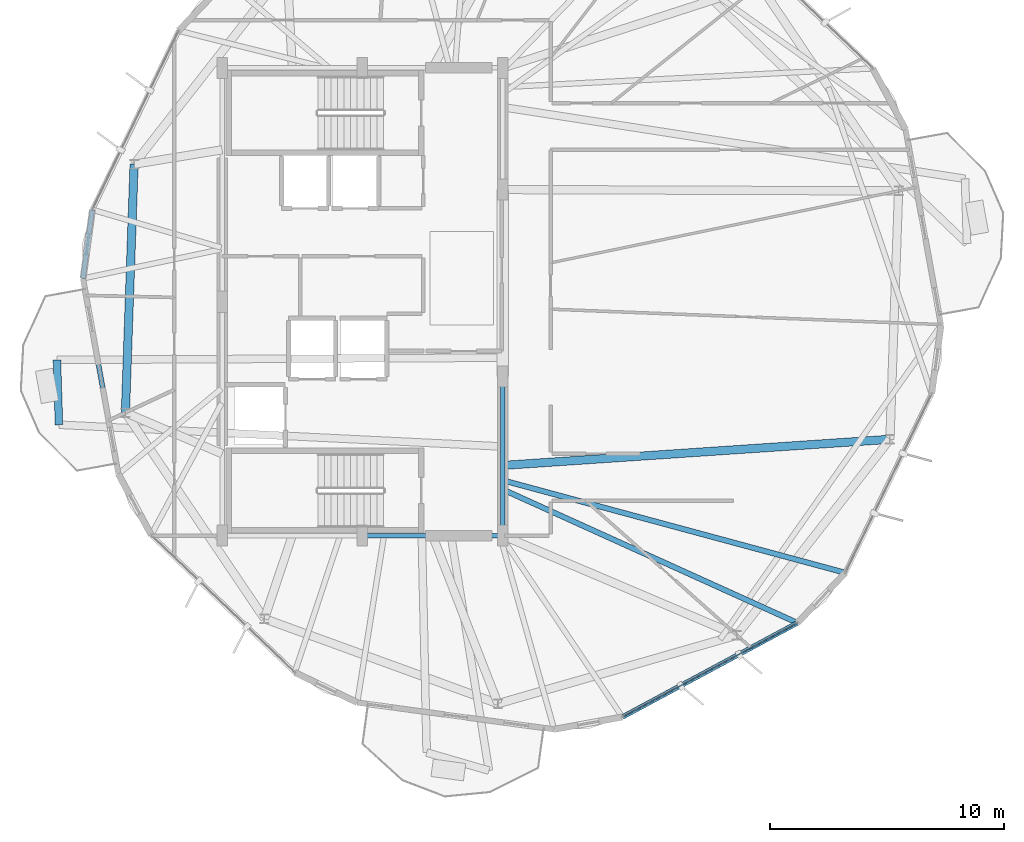
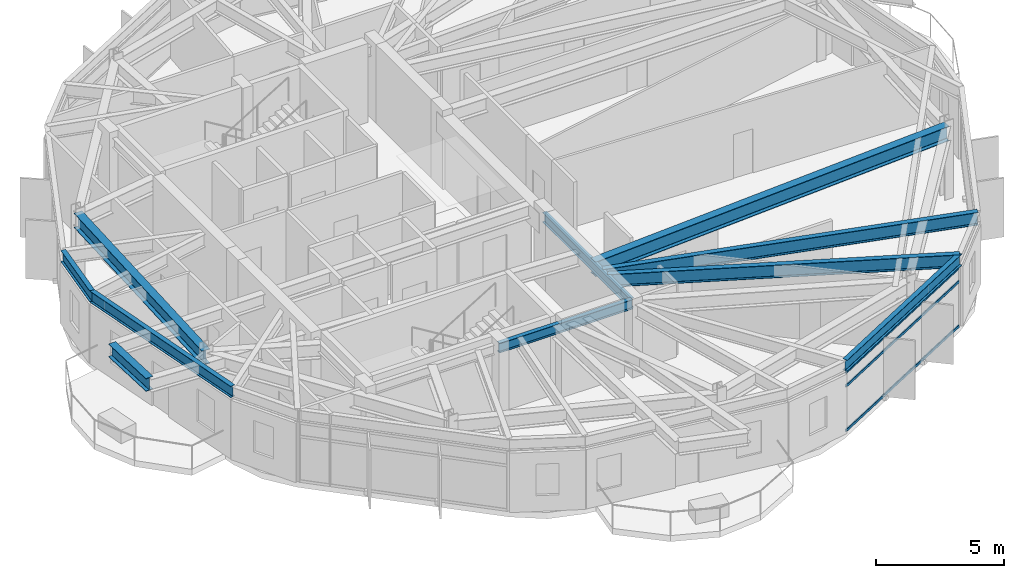
# One storey, part 6 of 26: 10 beams, 3 members, 1 element without a shape of its own.
"""IFC4 building model written with IfcOpenShell, lengths in metres."""

from ifc_helpers import new_model, si_unit, direction, frame, origin, origin_2d, place, context, subcontext, project, spatial, hollow_rectangle, i_section, extrude, material, layer, layer_set, material_profile, profile_set, type_object, element, aggregate, save


model = new_model("IFC4")

# Units and contexts
model_context = context("Model", 3, precision=1e-05, world=origin(), true_north=direction((0.0, 1.0)))
body_context = subcontext(model_context, "Body", "Model", "MODEL_VIEW")
ifc_project = project(units=[si_unit("LENGTHUNIT", "METRE"), si_unit("AREAUNIT", "SQUARE_METRE"), si_unit("VOLUMEUNIT", "CUBIC_METRE"), si_unit("PLANEANGLEUNIT", "RADIAN"), si_unit("MASSUNIT", "GRAM", prefix="KILO")], contexts=[model_context])

# Site, building, storey
site_placement = place(None, origin())
site = spatial("IfcSite", under=ifc_project, at=site_placement, CompositionType="ELEMENT")
building_placement = place(site_placement, origin())
building = spatial("IfcBuilding", under=site, at=building_placement, Name="Soratama Intermodal Tower", CompositionType="ELEMENT")
storey_placement = place(building_placement, frame((0.0, 0.0, 268.75)))
storey = spatial("IfcBuildingStorey", under=building, at=storey_placement, Name="L68", CompositionType="ELEMENT", Elevation=268.75)

# Beams
ifc_material_1 = material(Name="Structural steel ASTM A992 Grade 50", Category="steel")
ifc_material_profile_1 = material_profile(ifc_material_1, i_section(OverallWidth=0.324951171875, OverallDepth=0.615966796875, WebThickness=0.013916015625, FlangeThickness=0.021484375, FilletRadius=0.013916015625, at=origin_2d()), Name="W24X117")
ifc_profile_set_1 = profile_set([ifc_material_profile_1], Name="Structural steel ASTM A992 Grade 50")
beam_type_1 = type_object("IfcBeamType", Name="BM-CANT-W24X117", PredefinedType="BEAM", material=ifc_profile_set_1)
beam_1_placement = place(storey_placement, frame((25.5380859375, 22.512939453125, 3.14208984375), z_axis=(0.031339187538, -0.999508807027, 0.0), x_axis=(0.999508807027, 0.031339187538, 0.0)))
element("IfcBeam", 1, at=beam_1_placement, inside=storey, type_object=beam_type_1, Name="BM-L68-CBHDR-2", PredefinedType="BEAM", context=body_context, shape_type="SweptSolid", body=[
    extrude(i_section(OverallWidth=0.324951171875, OverallDepth=0.615966796875, WebThickness=0.013916015625, FlangeThickness=0.021484375, FilletRadius=0.013916015625, at=origin_2d()), origin(), (0.0, 0.0, 1.0), 2.7734375),
])
ifc_material_2 = material(Name="Structural steel ASTM A992 Grade 50", Category="steel")
ifc_material_profile_2 = material_profile(ifc_material_2, i_section(OverallWidth=0.19091796875, OverallDepth=0.4599609375, WebThickness=0.010009765625, FlangeThickness=0.01611328125, FilletRadius=0.010986328125, at=origin_2d()), Name="W18X55")
ifc_profile_set_2 = profile_set([ifc_material_profile_2], Name="Structural steel ASTM A992 Grade 50")
beam_type_2 = type_object("IfcBeamType", Name="BM-FLR-W18X55", PredefinedType="BEAM", material=ifc_profile_set_2)
beam_2_placement = place(storey_placement, frame((38.60009765625, 15.0, 3.219970703125), z_axis=(1.0, 0.0, 0.0), x_axis=(0.0, 1.0, 0.0)))
element("IfcBeam", 2, at=beam_2_placement, inside=storey, type_object=beam_type_2, Name="BM-L68-CRING-02", PredefinedType="BEAM", context=body_context, shape_type="SweptSolid", body=[
    extrude(i_section(OverallWidth=0.19091796875, OverallDepth=0.4599609375, WebThickness=0.010009765625, FlangeThickness=0.01611328125, FilletRadius=0.010986328125, at=origin_2d()), origin(), (0.0, 0.0, 1.0), 6.0),
])
beam_3_placement = place(storey_placement, frame((44.60009765625, 15.0, 3.219970703125), z_axis=(0.0, 1.0, 0.0), x_axis=(-1.0, 0.0, 0.0)))
element("IfcBeam", 3, at=beam_3_placement, inside=storey, type_object=beam_type_2, Name="BM-L68-CRING-03", PredefinedType="BEAM", context=body_context, shape_type="SweptSolid", body=[
    extrude(i_section(OverallWidth=0.19091796875, OverallDepth=0.4599609375, WebThickness=0.010009765625, FlangeThickness=0.01611328125, FilletRadius=0.010986328125, at=origin_2d()), origin(), (0.0, 0.0, 1.0), 6.800048828125),
])
ifc_material_3 = material(Name="Structural steel ASTM A992 Grade 50", Category="steel")
ifc_material_profile_3 = material_profile(ifc_material_3, i_section(OverallWidth=0.35498046875, OverallDepth=0.695068359375, WebThickness=0.015380859375, FlangeThickness=0.02490234375, FilletRadius=0.01611328125, at=origin_2d()), Name="W27X146")
ifc_profile_set_3 = profile_set([ifc_material_profile_3], Name="Structural steel ASTM A992 Grade 50")
beam_type_3 = type_object("IfcBeamType", Name="BM-RING-W27X146", PredefinedType="BEAM", material=ifc_profile_set_3)
beam_4_placement = place(storey_placement, frame((28.8369140625, 30.883056640625, 3.1025390625), z_axis=(-0.034885453879, -0.999391317307, 0.0), x_axis=(0.999391317307, -0.034885453879, 0.0)))
element("IfcBeam", 4, at=beam_4_placement, inside=storey, type_object=beam_type_3, Name="BM-L68-RING-05", PredefinedType="BEAM", context=body_context, shape_type="SweptSolid", body=[
    extrude(i_section(OverallWidth=0.35498046875, OverallDepth=0.695068359375, WebThickness=0.015380859375, FlangeThickness=0.02490234375, FilletRadius=0.01611328125, at=origin_2d()), origin(), (0.0, 0.0, 1.0), 10.630615234375),
])
beam_5_placement = place(storey_placement, frame((44.60009765625, 18.0, 3.1025390625), z_axis=(0.997733912176, 0.067283285401, 0.0), x_axis=(-0.067283285401, 0.997733912176, 0.0)))
element("IfcBeam", 5, at=beam_5_placement, inside=storey, type_object=beam_type_3, Name="BM-L68-RAD-10", PredefinedType="BEAM", context=body_context, shape_type="SweptSolid", body=[
    extrude(i_section(OverallWidth=0.35498046875, OverallDepth=0.695068359375, WebThickness=0.015380859375, FlangeThickness=0.02490234375, FilletRadius=0.01611328125, at=origin_2d()), origin(), (0.0, 0.0, 1.0), 16.6005859375),
])
ifc_material_4 = material(Name="Structural steel ASTM A992 Grade 50", Category="steel")
ifc_material_profile_4 = material_profile(ifc_material_4, i_section(OverallWidth=0.2099609375, OverallDepth=0.537109375, WebThickness=0.010986328125, FlangeThickness=0.017333984375, FilletRadius=0.012939453125, at=origin_2d()), Name="W21X68")
ifc_profile_set_4 = profile_set([ifc_material_profile_4], Name="Structural steel ASTM A992 Grade 50")
beam_type_4 = type_object("IfcBeamType", Name="BM-SPN-W21X68", PredefinedType="SPANDREL", material=ifc_profile_set_4)
beam_6_placement = place(storey_placement, frame((27.049072265625, 28.93701171875, 3.181396484375), z_axis=(-0.134863510999, -0.990864185144, 0.0), x_axis=(0.990864185144, -0.134863510999, 0.0)))
element("IfcBeam", 6, at=beam_6_placement, inside=storey, type_object=beam_type_4, Name="BS-L68-CRN03", PredefinedType="SPANDREL", context=body_context, shape_type="SweptSolid", body=[
    extrude(i_section(OverallWidth=0.2099609375, OverallDepth=0.537109375, WebThickness=0.010986328125, FlangeThickness=0.017333984375, FilletRadius=0.012939453125, at=origin_2d()), origin(), (0.0, 0.0, 1.0), 2.967041015625),
])
beam_7_placement = place(storey_placement, frame((26.64892578125, 25.9970703125, 3.181396484375), z_axis=(0.178137221637, -0.984005655607, 0.0), x_axis=(0.984005655607, 0.178137221637, 0.0)))
element("IfcBeam", 7, at=beam_7_placement, inside=storey, type_object=beam_type_4, Name="BS-L68-F04", PredefinedType="SPANDREL", context=body_context, shape_type="SweptSolid", body=[
    extrude(i_section(OverallWidth=0.2099609375, OverallDepth=0.537109375, WebThickness=0.010986328125, FlangeThickness=0.017333984375, FilletRadius=0.012939453125, at=origin_2d()), origin(), (0.0, 0.0, 1.0), 8.5),
])
beam_8_placement = place(storey_placement, frame((49.721923828125, 7.239013671875, 3.181396484375), z_axis=(0.880794601631, 0.473498542488, 0.0), x_axis=(-0.473498542488, 0.880794601631, 0.0)))
element("IfcBeam", 8, at=beam_8_placement, inside=storey, type_object=beam_type_4, Name="BS-L68-F07", PredefinedType="SPANDREL", context=body_context, shape_type="SweptSolid", body=[
    extrude(i_section(OverallWidth=0.2099609375, OverallDepth=0.537109375, WebThickness=0.010986328125, FlangeThickness=0.017333984375, FilletRadius=0.012939453125, at=origin_2d()), origin(), (0.0, 0.0, 1.0), 8.500244140625),
])
ifc_material_5 = material(Name="Structural steel ASTM A992 Grade 50", Category="steel")
ifc_material_profile_5 = material_profile(ifc_material_5, i_section(OverallWidth=0.22900390625, OverallDepth=0.612060546875, WebThickness=0.011962890625, FlangeThickness=0.01953125, FilletRadius=0.012939453125, at=origin_2d()), Name="W24X84")
ifc_profile_set_5 = profile_set([ifc_material_profile_5], Name="Structural steel ASTM A992 Grade 50")
beam_type_5 = type_object("IfcBeamType", Name="BM-TIE-W24X84", PredefinedType="BEAM", material=ifc_profile_set_5)
beam_9_placement = place(storey_placement, frame((44.635986328125, 16.958984375, 3.14404296875), z_axis=(0.910909654683, -0.412605866421, 0.0), x_axis=(0.412605866421, 0.910909654683, 0.0)))
element("IfcBeam", 9, at=beam_9_placement, inside=storey, type_object=beam_type_5, Name="BM-L68-TIE1-07", PredefinedType="BEAM", context=body_context, shape_type="SweptSolid", body=[
    extrude(i_section(OverallWidth=0.22900390625, OverallDepth=0.612060546875, WebThickness=0.011962890625, FlangeThickness=0.01953125, FilletRadius=0.012939453125, at=origin_2d()), origin(), (0.0, 0.0, 1.0), 13.802734375),
])
beam_10_placement = place(storey_placement, frame((44.638916015625, 17.35498046875, 3.14404296875), z_axis=(0.965424051956, -0.260684483439, 0.0), x_axis=(0.260684483439, 0.965424051956, 0.0)))
element("IfcBeam", 10, at=beam_10_placement, inside=storey, type_object=beam_type_5, Name="BM-L68-TIE0-08", PredefinedType="BEAM", context=body_context, shape_type="SweptSolid", body=[
    extrude(i_section(OverallWidth=0.22900390625, OverallDepth=0.612060546875, WebThickness=0.011962890625, FlangeThickness=0.01953125, FilletRadius=0.012939453125, at=origin_2d()), origin(), (0.0, 0.0, 1.0), 15.144775390625),
])

# Curtain wall, members
ifc_material_6 = material(Name="Double-glazed aluminium curtain wall", Category="aluminium")
ifc_layer = layer(ifc_material_6, 0.159912109375)
ifc_layer_set = layer_set([ifc_layer], Name="Double-glazed aluminium curtain wall")
curtain_wall_type = type_object("IfcCurtainWallType", Name="CW-SYS-5", PredefinedType="NOTDEFINED", material=ifc_layer_set)
curtain_wall_placement = place(storey_placement, origin())
curtain_wall = element("IfcCurtainWall", 11, at=curtain_wall_placement, inside=storey, type_object=curtain_wall_type, Name="L68 Faceted Curtain Wall F07", PredefinedType="NOTDEFINED")
ifc_material_7 = material(Name="Anodised aluminium AA 6063-T6", Category="aluminium")
ifc_material_profile_6 = material_profile(ifc_material_7, hollow_rectangle(XDim=0.06005859375, YDim=0.1298828125, WallThickness=0.0048828125, InnerFilletRadius=0.0048828125, OuterFilletRadius=0.010009765625, at=origin_2d()), Name="CWT130X60X5")
ifc_profile_set_6 = profile_set([ifc_material_profile_6], Name="Anodised aluminium AA 6063-T6")
member_type = type_object("IfcMemberType", Name="TT-CWT-2", PredefinedType="USERDEFINED", material=ifc_profile_set_6)
member_1_placement = place(storey_placement, frame((49.775146484375, 7.267578125, 0.030029296875), z_axis=(0.880815132805, 0.473460348732, 0.0), x_axis=(-0.473460348732, 0.880815132805, 0.0)))
member_1 = element("IfcMember", 12, at=member_1_placement, type_object=member_type, Name="CW-5 transom 1.1", ObjectType="TRANSOM", PredefinedType="USERDEFINED", context=body_context, shape_type="SweptSolid", body=[
    extrude(hollow_rectangle(XDim=0.06005859375, YDim=0.1298828125, WallThickness=0.0048828125, InnerFilletRadius=0.0048828125, OuterFilletRadius=0.010009765625, at=origin_2d()), origin(), (0.0, 0.0, 1.0), 8.3798828125),
])
member_2_placement = place(storey_placement, frame((49.775146484375, 7.267578125, 2.14990234375), z_axis=(0.880815132805, 0.473460348732, 0.0), x_axis=(-0.473460348732, 0.880815132805, 0.0)))
member_2 = element("IfcMember", 13, at=member_2_placement, type_object=member_type, Name="CW-5 transom 1.2", ObjectType="TRANSOM", PredefinedType="USERDEFINED", context=body_context, shape_type="SweptSolid", body=[
    extrude(hollow_rectangle(XDim=0.06005859375, YDim=0.1298828125, WallThickness=0.0048828125, InnerFilletRadius=0.0048828125, OuterFilletRadius=0.010009765625, at=origin_2d()), origin(), (0.0, 0.0, 1.0), 8.3798828125),
])
member_3_placement = place(storey_placement, frame((49.775146484375, 7.267578125, 2.799072265625), z_axis=(0.880815132805, 0.473460348732, 0.0), x_axis=(-0.473460348732, 0.880815132805, 0.0)))
member_3 = element("IfcMember", 14, at=member_3_placement, type_object=member_type, Name="CW-5 transom 1.3", ObjectType="TRANSOM", PredefinedType="USERDEFINED", context=body_context, shape_type="SweptSolid", body=[
    extrude(hollow_rectangle(XDim=0.06005859375, YDim=0.1298828125, WallThickness=0.0048828125, InnerFilletRadius=0.0048828125, OuterFilletRadius=0.010009765625, at=origin_2d()), origin(), (0.0, 0.0, 1.0), 8.3798828125),
])
aggregate(curtain_wall, [member_1, member_2, member_3])

save(model, "model.ifc")
